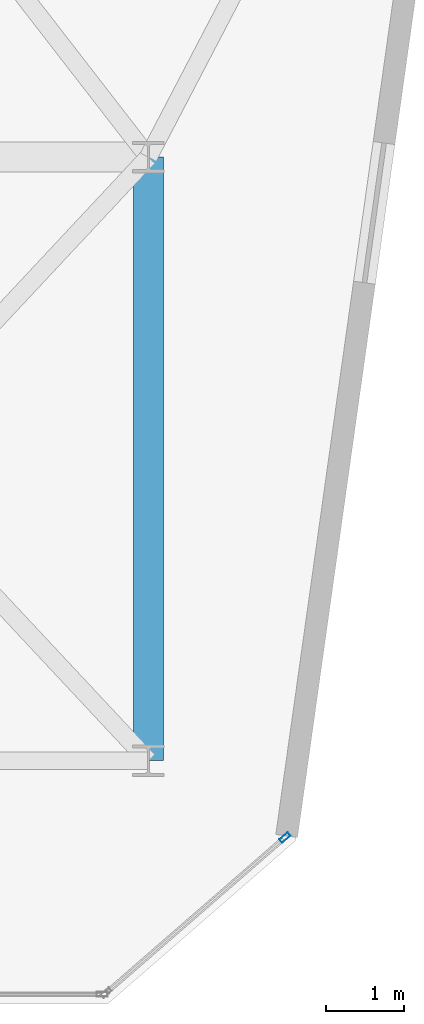
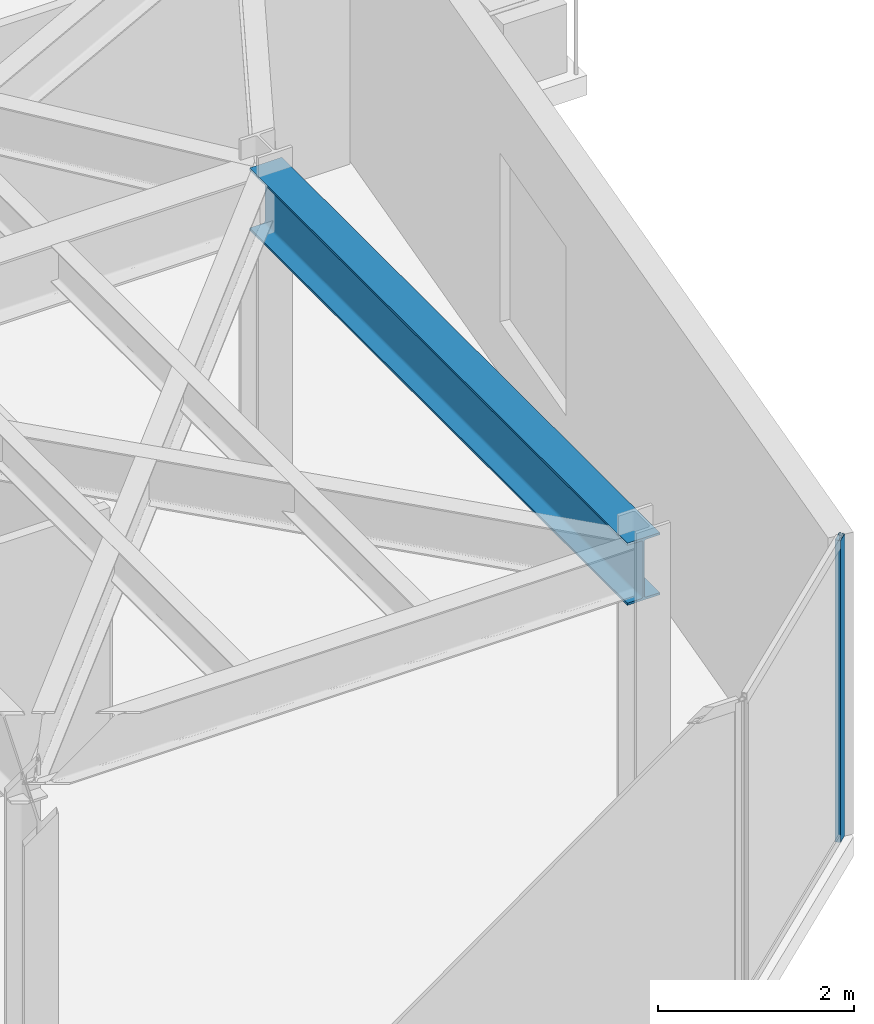
# One storey, part 14 of 21: 1 beam, 1 member, 1 element without a shape of its own.
"""IFC4 building model written with IfcOpenShell, lengths in metres."""

from ifc_helpers import new_model, si_unit, direction, frame, origin, origin_2d, place, context, subcontext, project, spatial, hollow_rectangle, i_section, extrude, material, layer, layer_set, material_profile, profile_set, type_object, element, aggregate, save


model = new_model("IFC4")

# Units and contexts
model_context = context("Model", 3, precision=1e-05, world=origin(), true_north=direction((0.0, 1.0)))
body_context = subcontext(model_context, "Body", "Model", "MODEL_VIEW")
ifc_project = project(units=[si_unit("LENGTHUNIT", "METRE"), si_unit("AREAUNIT", "SQUARE_METRE"), si_unit("VOLUMEUNIT", "CUBIC_METRE"), si_unit("PLANEANGLEUNIT", "RADIAN"), si_unit("MASSUNIT", "GRAM", prefix="KILO")], contexts=[model_context])

# Site, building, storey
site_placement = place(None, origin())
site = spatial("IfcSite", under=ifc_project, at=site_placement, CompositionType="ELEMENT")
building_placement = place(site_placement, origin())
building = spatial("IfcBuilding", under=site, at=building_placement, Name="Kravanh Interchange Tower", CompositionType="ELEMENT")
storey_placement = place(building_placement, frame((0.0, 0.0, 200.5)))
storey = spatial("IfcBuildingStorey", under=building, at=storey_placement, Name="L48", CompositionType="ELEMENT", Elevation=200.5)

# Curtain wall, member
ifc_material_1 = material(Name="Anodised Bronze Aluminium", Category="aluminium")
ifc_layer = layer(ifc_material_1, 0.179931640625)
ifc_layer_set = layer_set([ifc_layer], Name="Unitised Curtain Wall System CW-Z3 Upper Office")
curtain_wall_type = type_object("IfcCurtainWallType", Name="Unitised Curtain Wall System CW-Z3 Upper Office", PredefinedType="NOTDEFINED", material=ifc_layer_set)
curtain_wall_placement = place(storey_placement, origin())
curtain_wall = element("IfcCurtainWall", 1, at=curtain_wall_placement, inside=storey, type_object=curtain_wall_type, Name="L48 Unitised Curtain Wall CW-L48-01", PredefinedType="NOTDEFINED")
ifc_material_2 = material(Name="Anodised Bronze Aluminium", Category="aluminium")
ifc_material_profile_1 = material_profile(ifc_material_2, hollow_rectangle(XDim=0.06005859375, YDim=0.139892578125, WallThickness=0.00390625, at=origin_2d()), Name="ALU60X140X4")
ifc_profile_set_1 = profile_set([ifc_material_profile_1], Name="Anodised Bronze Aluminium")
member_type = type_object("IfcMemberType", Name="Curtain Wall Mullion ALU60X140X4 Bronze", PredefinedType="MULLION", material=ifc_profile_set_1)
member_placement = place(storey_placement, frame((64.94287109375, 13.52099609375, 0.0), z_axis=(0.0, 0.0, 1.0), x_axis=(0.65605090137, -0.754716645379, 0.0)))
member = element("IfcMember", 2, at=member_placement, type_object=member_type, Name="CW-Z3 mullion 1", PredefinedType="MULLION", context=body_context, shape_type="SweptSolid", body=[
    extrude(hollow_rectangle(XDim=0.06005859375, YDim=0.139892578125, WallThickness=0.00390625, at=origin_2d()), origin(), (0.0, 0.0, 1.0), 3.7548828125),
])
aggregate(curtain_wall, [member])

# Beam
ifc_material_3 = material(Name="Structural Steel S355", Category="steel")
ifc_material_profile_2 = material_profile(ifc_material_3, i_section(OverallWidth=0.381103515625, OverallDepth=0.77294921875, WebThickness=0.0166015625, FlangeThickness=0.027099609375, FilletRadius=0.02490234375, at=origin_2d()), Name="W30X173")
ifc_profile_set_2 = profile_set([ifc_material_profile_2], Name="Structural Steel S355")
beam_type = type_object("IfcBeamType", Name="Floor Beam W30X173 Structural Steel S355", PredefinedType="BEAM", material=ifc_profile_set_2)
beam_placement = place(storey_placement, frame((63.199951171875, 14.5, 3.368408203125), z_axis=(0.0, 1.0, 0.0), x_axis=(-1.0, 0.0, 0.0)))
element("IfcBeam", 3, at=beam_placement, inside=storey, type_object=beam_type, Name="L48 Primary Floor Girder 89", PredefinedType="BEAM", context=body_context, shape_type="SweptSolid", body=[
    extrude(i_section(OverallWidth=0.381103515625, OverallDepth=0.77294921875, WebThickness=0.0166015625, FlangeThickness=0.027099609375, FilletRadius=0.02490234375, at=origin_2d()), origin(), (0.0, 0.0, 1.0), 7.699951171875),
])

save(model, "model.ifc")
